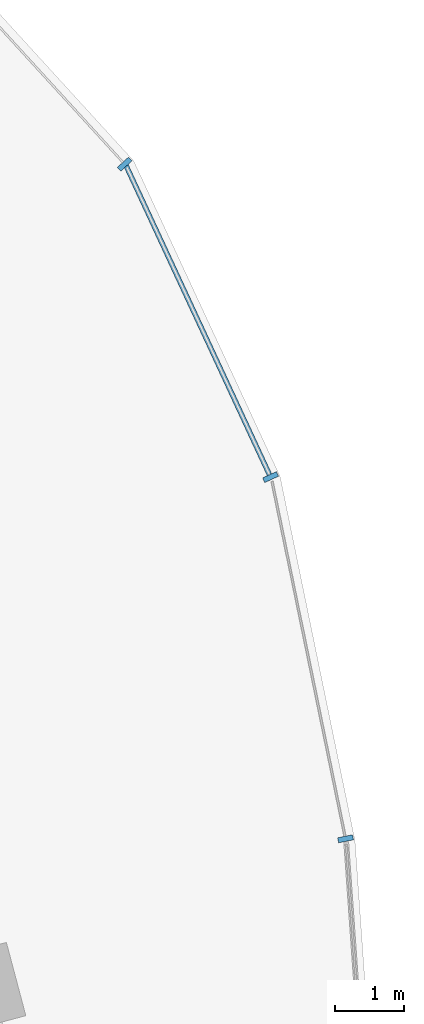
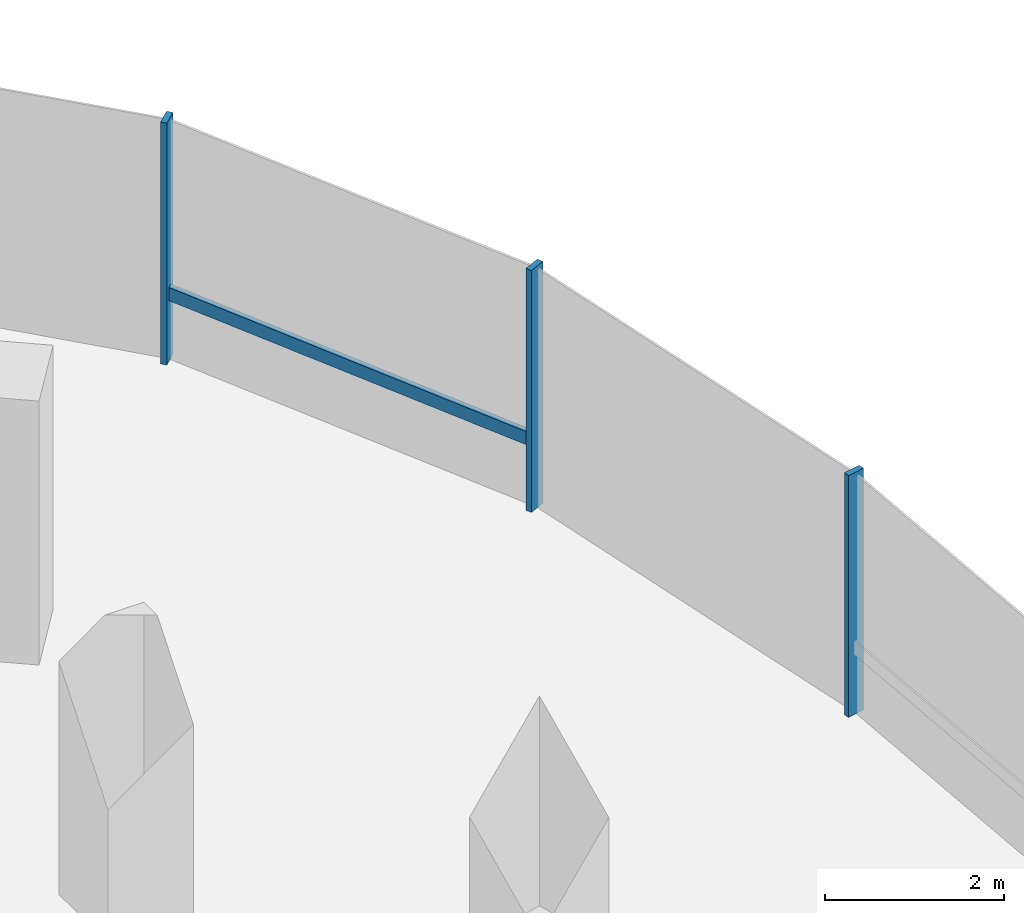
# One storey, part 8 of 20: 4 members, 1 element without a shape of its own.
"""IFC4 building model written with IfcOpenShell, lengths in metres."""

import ifcopenshell
import ifcopenshell.guid

model = None  # the IFC model being written
_history = None  # IfcOwnerHistory: only IFC2X3 demands one
_inside = {}  # id of a spatial element -> (the spatial element, [elements in it])
_under = {}  # id of a project, library or spatial element -> (it, [spatial elements below it])
_declared = {}  # id of a project -> (the project, [libraries it declares])
_typed = {}  # id of a type object -> (the type object, [elements of that type])
_made_of = {}  # id of a material, layer set ... -> (it, [elements and type objects made of it])


def new_model(schema):
    """Start an empty IFC model of exactly this schema.

    Asked for "IFC4X3", IfcOpenShell would pick the latest addendum, in which some entities
    have other attributes; the version numbers below select the first issue.
    IFC2X3 requires an IfcOwnerHistory on every rooted entity: one is made here for all.
    """
    global model, _history
    if schema == "IFC4X3":
        model = ifcopenshell.file(schema_version=(4, 3, 0, 0))
    else:
        model = ifcopenshell.file(schema=schema)
    _inside.clear()
    _under.clear()
    _declared.clear()
    _typed.clear()
    _made_of.clear()
    _history = None
    if model.schema == "IFC2X3":
        org = make("IfcOrganization", Name="unknown")
        user = make(
            "IfcPersonAndOrganization",
            ThePerson=make("IfcPerson", FamilyName="unknown"),
            TheOrganization=org,
        )
        app = make(
            "IfcApplication",
            ApplicationDeveloper=org,
            Version="unknown",
            ApplicationFullName="unknown",
            ApplicationIdentifier="unknown",
        )
        _history = make(
            "IfcOwnerHistory",
            OwningUser=user,
            OwningApplication=app,
            ChangeAction="ADDED",
            CreationDate=0,
        )
    return model


def make(cls, **values):
    """One entity of the class cls with the attributes given. An attribute that is None is left unset."""
    return model.create_entity(
        cls, **{name: value for name, value in values.items() if value is not None}
    )


def rooted(cls, **values):
    """An entity with a GlobalId (a new one), such as an element, a storey or a relation."""
    return make(cls, GlobalId=ifcopenshell.guid.new(), OwnerHistory=_history, **values)


def si_unit(unit_type, name, prefix=None):
    """IfcSIUnit, for example si_unit("LENGTHUNIT", "METRE", prefix="MILLI")."""
    return make("IfcSIUnit", UnitType=unit_type, Prefix=prefix, Name=name)


def assignment(units):
    """IfcUnitAssignment: the units of a project."""
    return None if units is None else make("IfcUnitAssignment", Units=units)


def point(xyz):
    """IfcCartesianPoint."""
    return None if xyz is None else make("IfcCartesianPoint", Coordinates=xyz)


def direction(xyz):
    """IfcDirection."""
    return None if xyz is None else make("IfcDirection", DirectionRatios=xyz)


def frame(location, z_axis=None, x_axis=None):
    """IfcAxis2Placement3D, a coordinate frame: its origin and axes. An axis left out is left unset."""
    return make(
        "IfcAxis2Placement3D",
        Location=point(location),
        Axis=direction(z_axis),
        RefDirection=direction(x_axis),
    )


def frame_2d(location, x_axis=None):
    """IfcAxis2Placement2D, a coordinate frame in the plane: its origin and x axis."""
    return make(
        "IfcAxis2Placement2D", Location=point(location), RefDirection=direction(x_axis)
    )


def origin():
    """The frame at (0, 0, 0) with its axes left unset."""
    return frame((0.0, 0.0, 0.0))


def origin_2d():
    """The frame at (0, 0) in the plane with its x axis left unset."""
    return frame_2d((0.0, 0.0))


def place(relative_to, where):
    """IfcLocalPlacement: puts the frame where relative to a parent placement (None: the world)."""
    return make(
        "IfcLocalPlacement", PlacementRelTo=relative_to, RelativePlacement=where
    )


def context(
    kind, dimensions, precision=None, world=None, true_north=None, identifier=None
):
    """IfcGeometricRepresentationContext, for example the 3D "Model" context."""
    return make(
        "IfcGeometricRepresentationContext",
        ContextIdentifier=identifier,
        ContextType=kind,
        CoordinateSpaceDimension=dimensions,
        Precision=precision,
        WorldCoordinateSystem=world,
        TrueNorth=true_north,
    )


def subcontext(parent, identifier, kind, view, scale=None):
    """IfcGeometricRepresentationSubContext, for example "Body" below "Model"."""
    return make(
        "IfcGeometricRepresentationSubContext",
        ContextIdentifier=identifier,
        ContextType=kind,
        ParentContext=parent,
        TargetScale=scale,
        TargetView=view,
    )


def project(units=None, contexts=None):
    """IfcProject with its units and contexts."""
    return rooted(
        "IfcProject",
        Name="project",
        RepresentationContexts=contexts,
        UnitsInContext=assignment(units),
    )


def spatial(cls, under=None, at=None, **own):
    """A site, building, storey or space (cls), placed at a placement, below another one or the project."""
    s = rooted(cls, ObjectPlacement=at, **own)
    if under is not None:
        _under.setdefault(under.id(), (under, []))[1].append(s)
    return s


def profile(cls, at=None, kind="AREA", **sizes):
    """A parametric profile (cls). Its sizes go by their IFC names, for example OverallWidth=200.0."""
    return make(cls, ProfileType=kind, Position=at, **sizes)


def rectangle(**sizes):
    """IfcRectangleProfileDef."""
    return profile("IfcRectangleProfileDef", **sizes)


def extrude(swept, where, along, depth):
    """IfcExtrudedAreaSolid: the profile swept, set in the frame where, extruded along a direction by depth."""
    return make(
        "IfcExtrudedAreaSolid",
        SweptArea=swept,
        Position=where,
        ExtrudedDirection=direction(along),
        Depth=depth,
    )


def shape(context_of_items, identifier, shape_type, items):
    """IfcShapeRepresentation: the items that make up one representation, for example the "Body"."""
    return make(
        "IfcShapeRepresentation",
        ContextOfItems=context_of_items,
        RepresentationIdentifier=identifier,
        RepresentationType=shape_type,
        Items=items,
    )


def material(Name=None, Category=None):
    """IfcMaterial."""
    return make("IfcMaterial", Name=Name, Category=Category)


def material_profile(
    of_material, cross_section, Name=None, Category=None, Priority=None
):
    """IfcMaterialProfile: a cross section and its material."""
    return make(
        "IfcMaterialProfile",
        Name=Name,
        Material=of_material,
        Profile=cross_section,
        Priority=Priority,
        Category=Category,
    )


def profile_set(profiles, Name=None, composite=None):
    """IfcMaterialProfileSet."""
    return make(
        "IfcMaterialProfileSet",
        Name=Name,
        MaterialProfiles=profiles,
        CompositeProfile=composite,
    )


def made_of(thing, what):
    """Note that an element or type object is made of a material, layer set ...; save() writes the relation."""
    if what is not None:
        _made_of.setdefault(what.id(), (what, []))[1].append(thing)
    return thing


def type_object(cls, material=None, **own):
    """A type object (cls), such as IfcWallType, which elements share."""
    return made_of(rooted(cls, **own), material)


def element(
    cls,
    number,
    at=None,
    inside=None,
    cuts=None,
    type_object=None,
    material=None,
    context=None,
    identifier="Body",
    shape_type=None,
    held_by="IfcProductDefinitionShape",
    body=None,
    shapes=None,
    **own,
):
    """One element of the class cls, such as IfcWall. Its Tag is "e" and its number.

    at: its placement. inside: the storey or other place that contains it. cuts: it is an
    opening in that element (IfcRelVoidsElement). A single representation is given by context,
    identifier, shape_type and body (its items); several are given by shapes. held_by: the class
    of the entity that holds the representations. save() writes the other relations.
    """
    e = rooted(cls, Tag="e%d" % number, ObjectPlacement=at, **own)
    if body is not None:
        shapes = [shape(context, identifier, shape_type, body)]
    if shapes is not None:
        e.Representation = make(held_by, Representations=shapes)
    if inside is not None:
        _inside.setdefault(inside.id(), (inside, []))[1].append(e)
    if cuts is not None:
        rooted(
            "IfcRelVoidsElement", RelatingBuildingElement=cuts, RelatedOpeningElement=e
        )
    if type_object is not None:
        _typed.setdefault(type_object.id(), (type_object, []))[1].append(e)
    return made_of(e, material)


def aggregate(whole, parts):
    """IfcRelAggregates: a whole, such as a stair, and the parts it consists of."""
    return rooted("IfcRelAggregates", RelatingObject=whole, RelatedObjects=parts)


def save(model, path):
    """Write the relations noted so far, then the file.

    IfcRelAggregates (storeys below a building ...), IfcRelContainedInSpatialStructure (elements
    in a storey), IfcRelDefinesByType, IfcRelAssociatesMaterial and IfcRelDeclares: one each for
    every whole, place, type object, material and project.
    """
    for whole, parts in _under.values():
        aggregate(whole, parts)
    for where, things in _inside.values():
        rooted(
            "IfcRelContainedInSpatialStructure",
            RelatedElements=things,
            RelatingStructure=where,
        )
    for kind, things in _typed.values():
        rooted("IfcRelDefinesByType", RelatedObjects=things, RelatingType=kind)
    for what, things in _made_of.values():
        rooted("IfcRelAssociatesMaterial", RelatedObjects=things, RelatingMaterial=what)
    for by, libraries in _declared.values():
        rooted("IfcRelDeclares", RelatingContext=by, RelatedDefinitions=libraries)
    model.write(path)


model = new_model("IFC4")

# Units and contexts
model_context = context("Model", 3, precision=1e-05, world=origin(), true_north=direction((0.0, 1.0)))
body_context = subcontext(model_context, "Body", "Model", "MODEL_VIEW")
ifc_project = project(units=[si_unit("LENGTHUNIT", "METRE"), si_unit("AREAUNIT", "SQUARE_METRE"), si_unit("VOLUMEUNIT", "CUBIC_METRE"), si_unit("PLANEANGLEUNIT", "RADIAN"), si_unit("MASSUNIT", "GRAM", prefix="KILO"), si_unit("THERMODYNAMICTEMPERATUREUNIT", "KELVIN"), si_unit("POWERUNIT", "WATT")], contexts=[model_context])

# Site, building, storey
site_placement = place(None, origin())
site = spatial("IfcSite", under=ifc_project, at=site_placement, CompositionType="ELEMENT")
building_placement = place(site_placement, origin())
building = spatial("IfcBuilding", under=site, at=building_placement, Name="Cundina Bronze Exchange", CompositionType="ELEMENT")
storey_placement = place(building_placement, frame((0.0, 0.0, 125.0)))
storey = spatial("IfcBuildingStorey", under=building, at=storey_placement, Name="L32", CompositionType="ELEMENT", Elevation=125.0)

# Curtain wall, members
ifc_material = material(Name="Anodised Bronze Aluminium 6063-T6", Category="aluminium")
curtain_wall_type = type_object("IfcCurtainWallType", Name="CWS-TRD-MID", PredefinedType="NOTDEFINED", material=ifc_material)
curtain_wall_placement = place(storey_placement, origin())
curtain_wall = element("IfcCurtainWall", 1, at=curtain_wall_placement, inside=storey, type_object=curtain_wall_type, Name="L32 CW-03 Curtain Wall Run CWR-L32-E1", PredefinedType="NOTDEFINED")
ifc_material_profile_1 = material_profile(ifc_material, rectangle(XDim=0.074951171875, YDim=0.219970703125, at=origin_2d()), Name="AL75X220", Category="aluminium")
ifc_profile_set_1 = profile_set([ifc_material_profile_1], Name="Anodised Bronze Aluminium 6063-T6")
member_type_1 = type_object("IfcMemberType", Name="CWM-MUL-220", PredefinedType="MULLION", material=ifc_profile_set_1)
member_1_placement = place(storey_placement, frame((50.717041015625, 8.67822265625, 0.0), z_axis=(0.0, 0.0, 1.0), x_axis=(-0.201419845156, 0.979505000486, 0.0)))
member_1 = element("IfcMember", 2, at=member_1_placement, type_object=member_type_1, Name="CW-03 Mullion 2", PredefinedType="MULLION", context=body_context, shape_type="SweptSolid", body=[
    extrude(rectangle(XDim=0.074951171875, YDim=0.219970703125, at=origin_2d()), origin(), (0.0, 0.0, 1.0), 3.300048828125),
])
member_2_placement = place(storey_placement, frame((49.6279296875, 13.931884765625, 0.0), z_axis=(0.0, 0.0, 1.0), x_axis=(-0.42087749791, 0.907117485088, 0.0)))
member_2 = element("IfcMember", 3, at=member_2_placement, type_object=member_type_1, Name="CW-03 Mullion 3", PredefinedType="MULLION", context=body_context, shape_type="SweptSolid", body=[
    extrude(rectangle(XDim=0.074951171875, YDim=0.219970703125, at=origin_2d()), origin(), (0.0, 0.0, 1.0), 3.300048828125),
])
member_3_placement = place(storey_placement, frame((47.508544921875, 18.47705078125, 0.0), z_axis=(0.0, 0.0, 1.0), x_axis=(-0.674302387584, 0.738455340626, 0.0)))
member_3 = element("IfcMember", 4, at=member_3_placement, type_object=member_type_1, Name="CW-03 Mullion 4", PredefinedType="MULLION", context=body_context, shape_type="SweptSolid", body=[
    extrude(rectangle(XDim=0.074951171875, YDim=0.219970703125, at=origin_2d()), origin(), (0.0, 0.0, 1.0), 3.300048828125),
])
ifc_material_profile_2 = material_profile(ifc_material, rectangle(XDim=0.070068359375, YDim=0.179931640625, at=origin_2d()), Name="AL70X180", Category="aluminium")
ifc_profile_set_2 = profile_set([ifc_material_profile_2], Name="Anodised Bronze Aluminium 6063-T6")
member_type_2 = type_object("IfcMemberType", Name="CWM-TRN-180", PredefinedType="USERDEFINED", material=ifc_profile_set_2)
member_4_placement = place(storey_placement, frame((49.610595703125, 13.96923828125, 0.919921875), z_axis=(-0.420811422796, 0.907148139195, 0.0), x_axis=(-0.907148139195, -0.420811422796, 0.0)))
member_4 = element("IfcMember", 5, at=member_4_placement, type_object=member_type_2, Name="CW-03 Spandrel Transom 3", ObjectType="TRANSOM", PredefinedType="USERDEFINED", context=body_context, shape_type="SweptSolid", body=[
    extrude(rectangle(XDim=0.070068359375, YDim=0.179931640625, at=origin_2d()), origin(), (0.0, 0.0, 1.0), 4.95166015625),
])
aggregate(curtain_wall, [member_1, member_2, member_4, member_3])

save(model, "model.ifc")
